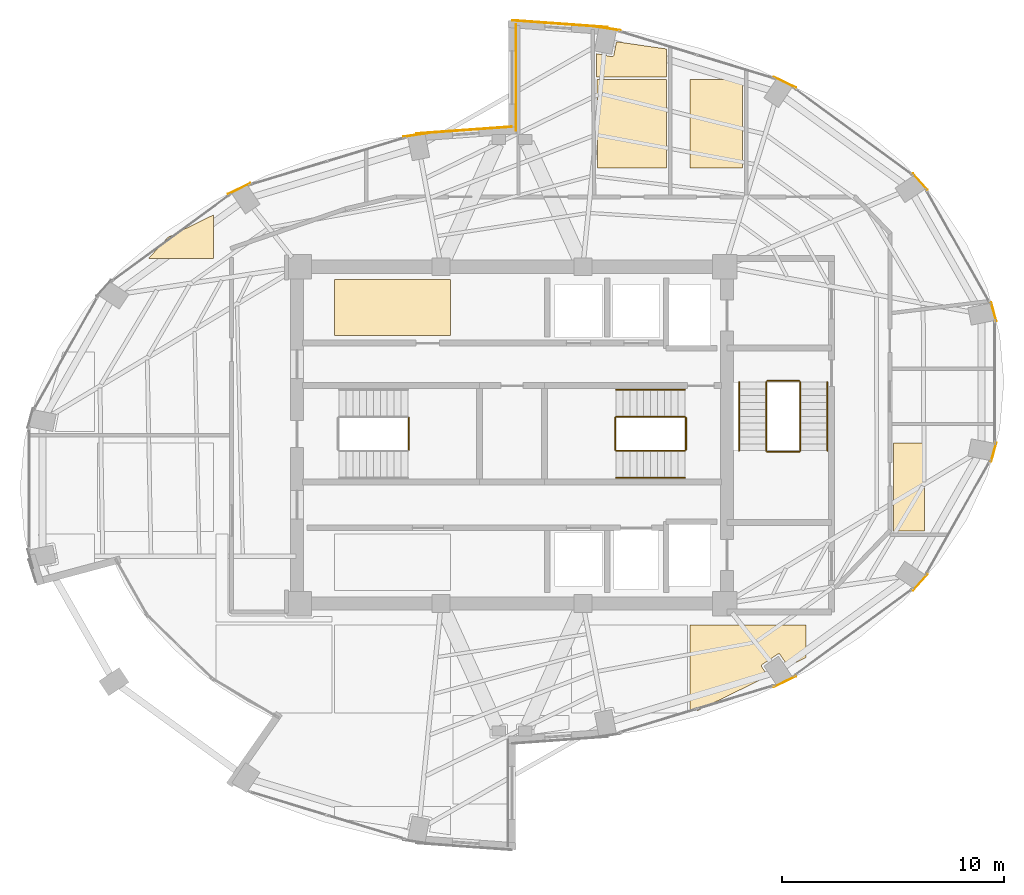
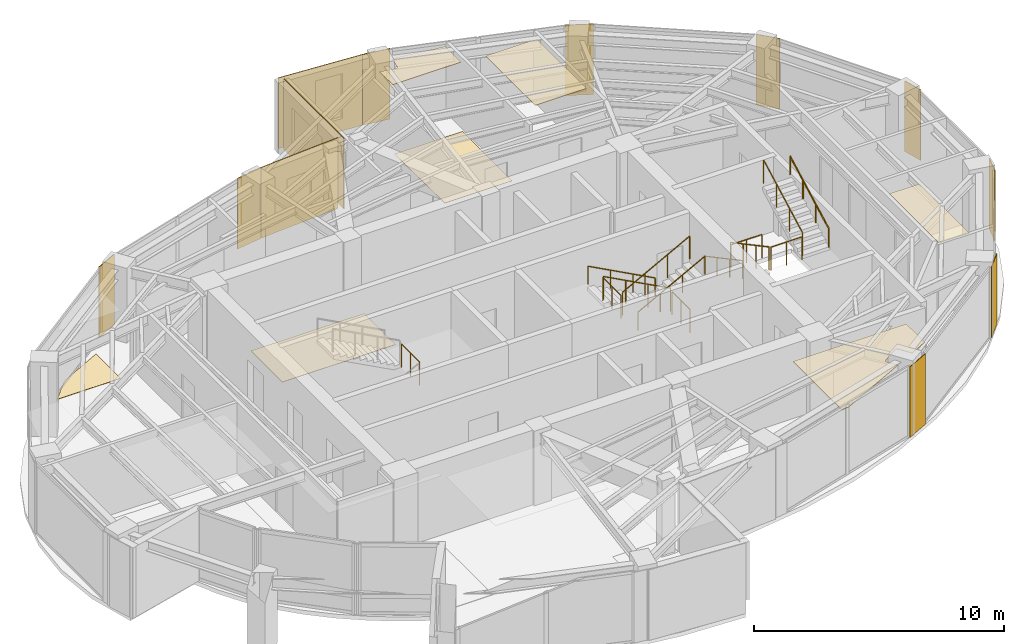
# One storey, part 21 of 21: 19 coverings, 13 railings.
"""IFC4 building model written with IfcOpenShell, lengths in metres."""

from ifc_helpers import new_model, si_unit, direction, frame, origin, origin_2d, place, context, subcontext, project, spatial, polyline, rectangle, circle, outline, extrude, material, layer, layer_set, type_object, element, save


model = new_model("IFC4")

# Units and contexts
model_context = context("Model", 3, precision=1e-05, world=origin(), true_north=direction((0.0, 1.0)))
body_context = subcontext(model_context, "Body", "Model", "MODEL_VIEW")
ifc_project = project(units=[si_unit("LENGTHUNIT", "METRE"), si_unit("AREAUNIT", "SQUARE_METRE"), si_unit("VOLUMEUNIT", "CUBIC_METRE"), si_unit("PLANEANGLEUNIT", "RADIAN"), si_unit("MASSUNIT", "GRAM", prefix="KILO")], contexts=[model_context])

# Site, building, storey
site_placement = place(None, origin())
site = spatial("IfcSite", under=ifc_project, at=site_placement, CompositionType="ELEMENT")
building_placement = place(site_placement, origin())
building = spatial("IfcBuilding", under=site, at=building_placement, Name="Lazwardi Medical Tower", CompositionType="ELEMENT")
storey_placement = place(building_placement, frame((0.0, 0.0, 220.367919921875)))
storey = spatial("IfcBuildingStorey", under=building, at=storey_placement, Name="L57", CompositionType="ELEMENT", Elevation=220.367919921875)

# Coverings
ifc_material_1 = material(Name="Anodised bronze aluminium cassette cladding", Category="aluminium")
ifc_layer_1 = layer(ifc_material_1, 0.030029296875)
ifc_layer_set_1 = layer_set([ifc_layer_1], Name="Anodised bronze aluminium cassette cladding")
covering_type_1 = type_object("IfcCoveringType", Name="COV-CLD-BRZ", PredefinedType="CLADDING", material=ifc_layer_set_1)
covering_1_placement = place(storey_placement, frame((48.311279296875, 16.878662109375, 0.0), z_axis=(0.0, 0.0, 1.0), x_axis=(0.897840141691, 0.440321564278, 0.0)))
element("IfcCovering", 1, at=covering_1_placement, inside=storey, type_object=covering_type_1, Name="L57 Mega-column bronze cassette cover M02", PredefinedType="CLADDING", context=body_context, shape_type="SweptSolid", body=[
    extrude(rectangle(XDim=1.110595703125, YDim=0.030029296875, at=origin_2d()), origin(), (0.0, 0.0, 1.0), 3.447998046875),
])
covering_2_placement = place(storey_placement, frame((54.42529296875, 21.365234375, 0.0), z_axis=(0.0, 0.0, 1.0), x_axis=(0.673240970654, 0.739423150458, 0.0)))
element("IfcCovering", 2, at=covering_2_placement, inside=storey, type_object=covering_type_1, Name="L57 Mega-column bronze cassette cover M03", PredefinedType="CLADDING", context=body_context, shape_type="SweptSolid", body=[
    extrude(rectangle(XDim=0.98974609375, YDim=0.030029296875, at=origin_2d()), origin(), (0.0, 0.0, 1.0), 3.447998046875),
])
for number, where, z_axis, x_axis, name in (
    (3, (57.734130859375, 27.227294921875, 0.0), (0.0, 0.0, 1.0), (0.261641748247, 0.96516506131, 0.0), "L57 Mega-column bronze cassette cover M04"),
    (4, (57.734130859375, 33.572509765625, 0.0), (0.0, 0.0, 1.0), (-0.261641748247, 0.96516506131, 0.0), "L57 Mega-column bronze cassette cover M05"),
):
    element("IfcCovering", number, at=place(storey_placement, frame(where, z_axis=z_axis, x_axis=x_axis)), inside=storey, type_object=covering_type_1, Name=name, PredefinedType="CLADDING", context=body_context, shape_type="SweptSolid", body=[
        extrude(rectangle(XDim=0.894287109375, YDim=0.030029296875, at=origin_2d()), origin(), (0.0, 0.0, 1.0), 3.447998046875),
    ])
covering_3_placement = place(storey_placement, frame((54.42529296875, 39.434814453125, 0.0), z_axis=(0.0, 0.0, 1.0), x_axis=(-0.673240970654, 0.739423150458, 0.0)))
element("IfcCovering", 5, at=covering_3_placement, inside=storey, type_object=covering_type_1, Name="L57 Mega-column bronze cassette cover M06", PredefinedType="CLADDING", context=body_context, shape_type="SweptSolid", body=[
    extrude(rectangle(XDim=0.98974609375, YDim=0.030029296875, at=origin_2d()), origin(), (0.0, 0.0, 1.0), 3.447998046875),
])
covering_4_placement = place(storey_placement, frame((48.311279296875, 43.92138671875, 0.0), z_axis=(0.0, 0.0, 1.0), x_axis=(-0.897840141691, 0.440321564278, 0.0)))
element("IfcCovering", 6, at=covering_4_placement, inside=storey, type_object=covering_type_1, Name="L57 Mega-column bronze cassette cover M07", PredefinedType="CLADDING", context=body_context, shape_type="SweptSolid", body=[
    extrude(rectangle(XDim=1.110595703125, YDim=0.030029296875, at=origin_2d()), origin(), (0.0, 0.0, 1.0), 3.447998046875),
])
for number, where, z_axis, x_axis, name in (
    (7, (40.3232421875, 46.349609375, 0.0), (0.0, 0.0, 1.0), (-0.989512431533, 0.144447733943, 0.0), "L57 Mega-column bronze cassette cover M08"),
    (8, (31.6767578125, 41.549560546875, 0.0), (0.0, 0.0, 1.0), (-0.989512431533, -0.144447733943, 0.0), "L57 Mega-column bronze cassette cover M09"),
):
    element("IfcCovering", number, at=place(storey_placement, frame(where, z_axis=z_axis, x_axis=x_axis)), inside=storey, type_object=covering_type_1, Name=name, PredefinedType="CLADDING", context=body_context, shape_type="SweptSolid", body=[
        extrude(rectangle(XDim=1.188720703125, YDim=0.030029296875, at=origin_2d()), origin(), (0.0, 0.0, 1.0), 3.447998046875),
    ])
covering_5_placement = place(storey_placement, frame((23.688720703125, 39.121337890625, 0.0), z_axis=(0.0, 0.0, 1.0), x_axis=(-0.897840141691, -0.440321564278, 0.0)))
element("IfcCovering", 9, at=covering_5_placement, inside=storey, type_object=covering_type_1, Name="L57 Mega-column bronze cassette cover M10", PredefinedType="CLADDING", context=body_context, shape_type="SweptSolid", body=[
    extrude(rectangle(XDim=1.110595703125, YDim=0.030029296875, at=origin_2d()), origin(), (0.0, 0.0, 1.0), 3.447998046875),
])
ifc_material_2 = material(Name="Turquoise glazed ceramic tilework cladding", Category="masonry")
ifc_layer_2 = layer(ifc_material_2, 0.034912109375)
ifc_layer_set_2 = layer_set([ifc_layer_2], Name="Turquoise glazed ceramic tilework cladding")
covering_type_2 = type_object("IfcCoveringType", Name="COV-CLD-TRQ", PredefinedType="CLADDING", material=ifc_layer_set_2)
covering_6_placement = place(storey_placement, frame((38.16259765625, 46.56005859375, 0.0), z_axis=(0.0, 0.0, 1.0), x_axis=(-0.997409491337, 0.071932653157, 0.0)))
element("IfcCovering", 10, at=covering_6_placement, inside=storey, type_object=covering_type_2, Name="L57 Turquoise glazed ceramic tilework cladding", PredefinedType="CLADDING", context=body_context, shape_type="SweptSolid", body=[
    extrude(rectangle(XDim=4.31103515625, YDim=0.034912109375, at=origin_2d()), origin(), (0.0, 0.0, 1.0), 3.447998046875),
])
covering_7_placement = place(storey_placement, frame((33.83740234375, 41.760009765625, 0.0), z_axis=(0.0, 0.0, 1.0), x_axis=(-0.997408989128, -0.071939616387, 0.0)))
element("IfcCovering", 11, at=covering_7_placement, inside=storey, type_object=covering_type_2, Name="L57 Turquoise glazed ceramic tilework cladding", PredefinedType="CLADDING", context=body_context, shape_type="SweptSolid", body=[
    extrude(rectangle(XDim=4.310546875, YDim=0.034912109375, at=origin_2d()), origin(), (0.0, 0.0, 1.0), 3.447998046875),
])
covering_8_placement = place(storey_placement, frame((36.175537109375, 44.139892578125, 0.0), z_axis=(0.0, 0.0, 1.0), x_axis=(0.0, -1.0, 0.0)))
element("IfcCovering", 12, at=covering_8_placement, inside=storey, type_object=covering_type_2, Name="L57 Turquoise glazed ceramic tilework iwan panel", PredefinedType="CLADDING", context=body_context, shape_type="SweptSolid", body=[
    extrude(rectangle(XDim=4.800048828125, YDim=0.034912109375, at=origin_2d()), origin(), (0.0, 0.0, 1.0), 3.447998046875),
])
ifc_material_3 = material(Name="Acoustic mineral fibre tile")
ifc_layer_3 = layer(ifc_material_3, 0.02490234375)
ifc_layer_set_3 = layer_set([ifc_layer_3], Name="Acoustic mineral fibre tile")
covering_type_3 = type_object("IfcCoveringType", Name="COV-CLG-01", PredefinedType="CEILING", material=ifc_layer_set_3)
covering_9_placement = place(storey_placement, frame((0.0, 0.0, 3.302978515625)))
element("IfcCovering", 13, at=covering_9_placement, inside=storey, type_object=covering_type_3, Name="L57 Clinical Acoustic Ceiling 7", PredefinedType="CEILING", context=body_context, shape_type="SweptSolid", body=[
    extrude(outline(polyline([(42.97509765625, 44.16259765625), (42.97509765625, 45.42333984375), (40.714599609375, 45.752685546875), (40.59326171875, 45.1416015625), (40.59130859375, 45.134033203125), (40.588623046875, 45.126708984375), (40.585205078125, 45.11962890625), (40.581298828125, 45.11279296875), (40.576416015625, 45.1064453125), (40.5712890625, 45.1005859375), (40.5654296875, 45.095458984375), (40.55908203125, 45.0908203125), (40.552490234375, 45.086669921875), (40.54541015625, 45.08349609375), (40.537841796875, 45.080810546875), (40.5302734375, 45.078857421875), (40.5224609375, 45.07763671875), (40.5146484375, 45.077392578125), (40.5068359375, 45.07763671875), (40.4990234375, 45.078857421875), (39.81298828125, 45.21533203125), (39.822998046875, 44.16259765625), (42.97509765625, 44.16259765625)])), origin(), (0.0, 0.0, 1.0), 0.025146484375),
])
covering_10_placement = place(storey_placement, frame((0.0, 0.0, 3.302978515625)))
element("IfcCovering", 14, at=covering_10_placement, inside=storey, type_object=covering_type_3, Name="L57 Clinical Acoustic Ceiling 8", PredefinedType="CEILING", context=body_context, shape_type="SweptSolid", body=[
    extrude(outline(polyline([(44.04296875, 15.531982421875), (44.40283203125, 15.58447265625), (47.5478515625, 17.122802734375), (47.267822265625, 17.5419921875), (47.263916015625, 17.548828125), (47.260498046875, 17.555908203125), (47.2578125, 17.563232421875), (47.255859375, 17.57080078125), (47.2548828125, 17.57861328125), (47.25439453125, 17.58642578125), (47.2548828125, 17.59423828125), (47.255859375, 17.60205078125), (47.2578125, 17.609619140625), (47.260498046875, 17.6171875), (47.263916015625, 17.624267578125), (47.267822265625, 17.630859375), (47.272705078125, 17.63720703125), (47.27783203125, 17.64306640625), (47.28369140625, 17.648193359375), (47.2900390625, 17.653076171875), (47.98828125, 18.11962890625), (47.9951171875, 18.123779296875), (48.002197265625, 18.127197265625), (48.009521484375, 18.1298828125), (48.01708984375, 18.131591796875), (48.02490234375, 18.1328125), (48.03271484375, 18.13330078125), (48.04052734375, 18.1328125), (48.04833984375, 18.131591796875), (48.055908203125, 18.1298828125), (48.0634765625, 18.127197265625), (48.070556640625, 18.123779296875), (48.0771484375, 18.11962890625), (48.08349609375, 18.114990234375), (48.08935546875, 18.10986328125), (48.094482421875, 18.10400390625), (48.099365234375, 18.09765625), (48.454345703125, 17.56640625), (49.27294921875, 17.966796875), (49.27294921875, 19.4423828125), (44.04296875, 19.4423828125), (44.04296875, 15.531982421875)])), origin(), (0.0, 0.0, 1.0), 0.025146484375),
])
covering_11_placement = place(storey_placement, frame((0.0, 0.0, 3.302978515625)))
element("IfcCovering", 15, at=covering_11_placement, inside=storey, type_object=covering_type_3, Name="L57 Clinical Acoustic Ceiling 9", PredefinedType="CEILING", context=body_context, shape_type="SweptSolid", body=[
    extrude(outline(polyline([(46.405029296875, 40.0625), (46.405029296875, 44.04248046875), (44.04296875, 44.04248046875), (44.04296875, 40.0625), (46.405029296875, 40.0625)])), origin(), (0.0, 0.0, 1.0), 0.025146484375),
])
covering_12_placement = place(storey_placement, frame((0.0, 0.0, 3.302978515625)))
element("IfcCovering", 16, at=covering_12_placement, inside=storey, type_object=covering_type_3, Name="L57 Clinical Acoustic Ceiling 10", PredefinedType="CEILING", context=body_context, shape_type="SweptSolid", body=[
    extrude(outline(polyline([(53.22509765625, 27.642578125), (53.22509765625, 23.685546875), (53.224853515625, 23.681884765625), (53.224609375, 23.6728515625), (53.223876953125, 23.6650390625), (54.622802734375, 23.6650390625), (54.622802734375, 27.642578125), (53.22509765625, 27.642578125)])), origin(), (0.0, 0.0, 1.0), 0.025146484375),
])
ifc_material_4 = material(Name="Anti-static hospital vinyl sheet flooring")
ifc_layer_4 = layer(ifc_material_4, 0.014892578125)
ifc_layer_set_4 = layer_set([ifc_layer_4], Name="Anti-static hospital vinyl sheet flooring")
covering_type_4 = type_object("IfcCoveringType", Name="COV-FLR-01", PredefinedType="FLOORING", material=ifc_layer_set_4)
covering_13_placement = place(storey_placement, origin())
element("IfcCovering", 17, at=covering_13_placement, inside=storey, type_object=covering_type_4, Name="L57 Clinical Vinyl Flooring 3", PredefinedType="FLOORING", context=body_context, shape_type="SweptSolid", body=[
    extrude(outline(polyline([(22.52294921875, 37.93359375), (20.478271484375, 36.933349609375), (19.592041015625, 35.96240234375), (22.52294921875, 35.96240234375), (22.52294921875, 37.93359375)])), origin(), (0.0, 0.0, 1.0), 0.01513671875),
])
covering_14_placement = place(storey_placement, origin())
element("IfcCovering", 18, at=covering_14_placement, inside=storey, type_object=covering_type_4, Name="L57 Clinical Vinyl Flooring 7", PredefinedType="FLOORING", context=body_context, shape_type="SweptSolid", body=[
    extrude(outline(polyline([(33.222900390625, 35.02001953125), (27.992919921875, 35.02001953125), (27.992919921875, 32.5), (33.222900390625, 32.5), (33.222900390625, 35.02001953125)])), origin(), (0.0, 0.0, 1.0), 0.01513671875),
])
covering_15_placement = place(storey_placement, origin())
element("IfcCovering", 19, at=covering_15_placement, inside=storey, type_object=covering_type_4, Name="L57 Clinical Vinyl Flooring 10", PredefinedType="FLOORING", context=body_context, shape_type="SweptSolid", body=[
    extrude(outline(polyline([(39.82421875, 44.04248046875), (39.862548828125, 40.0625), (42.97509765625, 40.0625), (42.97509765625, 44.04248046875), (39.82421875, 44.04248046875)])), origin(), (0.0, 0.0, 1.0), 0.01513671875),
])

# Railings
ifc_material_5 = material(Name="Stainless steel Grade 316", Category="steel")
railing_type_1 = type_object("IfcRailingType", Name="RLG-GRD-1150", PredefinedType="GUARDRAIL", material=ifc_material_5)
railing_1_placement = place(storey_placement, frame((31.35009765625, 27.340087890625, 1.823974609375)))
element("IfcRailing", 20, at=railing_1_placement, inside=storey, type_object=railing_type_1, Name="L57 ST1 stair guard 2", PredefinedType="GUARDRAIL", context=body_context, shape_type="SweptSolid", body=[
    extrude(circle(Radius=0.02392578125, at=origin_2d()), frame((0.0, 0.0, 1.1259765625), z_axis=(0.0, 1.0, 0.0), x_axis=(-1.0, 0.0, 0.0)), (0.0, 0.0, 1.0), 1.43994140625),
    extrude(circle(Radius=0.02099609375, at=origin_2d()), origin(), (0.0, 0.0, 1.0), 1.099853515625),
    extrude(circle(Radius=0.02099609375, at=origin_2d()), frame((0.0, 0.719970703125, 0.0)), (0.0, 0.0, 1.0), 1.099853515625),
    extrude(circle(Radius=0.02099609375, at=origin_2d()), frame((0.0, 1.43994140625, 0.0)), (0.0, 0.0, 1.0), 1.099853515625),
])
railing_2_placement = place(storey_placement, frame((43.800048828125, 28.830078125, 0.166015625)))
element("IfcRailing", 21, at=railing_2_placement, inside=storey, type_object=railing_type_1, Name="L57 ST2 stair guard 1", PredefinedType="GUARDRAIL", context=body_context, shape_type="SweptSolid", body=[
    extrude(circle(Radius=0.02392578125, at=origin_2d()), frame((0.0, 0.0, 1.1259765625), z_axis=(-0.881812178953, 0.0, 0.471600764472), x_axis=(0.0, -1.0, 0.0)), (0.0, 0.0, 1.0), 3.515625),
    extrude(circle(Radius=0.02099609375, at=origin_2d()), origin(), (0.0, 0.0, 1.0), 1.099853515625),
    extrude(circle(Radius=0.02099609375, at=origin_2d()), frame((-1.033447265625, 0.0, 0.552734375)), (0.0, 0.0, 1.0), 1.099853515625),
    extrude(circle(Radius=0.02099609375, at=origin_2d()), frame((-2.066650390625, 0.0, 1.105224609375)), (0.0, 0.0, 1.0), 1.099853515625),
    extrude(circle(Radius=0.02099609375, at=origin_2d()), frame((-3.10009765625, 0.0, 1.657958984375)), (0.0, 0.0, 1.0), 1.099853515625),
])
railing_3_placement = place(storey_placement, frame((40.64990234375, 28.780029296875, 1.823974609375)))
element("IfcRailing", 22, at=railing_3_placement, inside=storey, type_object=railing_type_1, Name="L57 ST2 stair guard 2", PredefinedType="GUARDRAIL", context=body_context, shape_type="SweptSolid", body=[
    extrude(circle(Radius=0.02392578125, at=origin_2d()), frame((0.0, 0.0, 1.1259765625), z_axis=(0.0, -1.0, 0.0), x_axis=(1.0, 0.0, 0.0)), (0.0, 0.0, 1.0), 1.43994140625),
    extrude(circle(Radius=0.02099609375, at=origin_2d()), origin(), (0.0, 0.0, 1.0), 1.099853515625),
    extrude(circle(Radius=0.02099609375, at=origin_2d()), frame((0.0, -0.719970703125, 0.0)), (0.0, 0.0, 1.0), 1.099853515625),
    extrude(circle(Radius=0.02099609375, at=origin_2d()), frame((0.0, -1.43994140625, 0.0)), (0.0, 0.0, 1.0), 1.099853515625),
])
railing_4_placement = place(storey_placement, frame((40.699951171875, 27.2900390625, 1.989990234375)))
element("IfcRailing", 23, at=railing_4_placement, inside=storey, type_object=railing_type_1, Name="L57 ST2 stair guard 3", PredefinedType="GUARDRAIL", context=body_context, shape_type="SweptSolid", body=[
    extrude(circle(Radius=0.02392578125, at=origin_2d()), frame((0.0, 0.0, 1.1259765625), z_axis=(0.881783298633, 0.0, 0.471654761719), x_axis=(0.0, 1.0, 0.0)), (0.0, 0.0, 1.0), 3.515625),
    extrude(circle(Radius=0.02099609375, at=origin_2d()), origin(), (0.0, 0.0, 1.0), 1.099853515625),
    extrude(circle(Radius=0.02099609375, at=origin_2d()), frame((1.033447265625, 0.0, 0.552734375)), (0.0, 0.0, 1.0), 1.099853515625),
    extrude(circle(Radius=0.02099609375, at=origin_2d()), frame((2.066650390625, 0.0, 1.10546875)), (0.0, 0.0, 1.0), 1.099853515625),
    extrude(circle(Radius=0.02099609375, at=origin_2d()), frame((3.10009765625, 0.0, 1.658203125)), (0.0, 0.0, 1.0), 1.099853515625),
])
railing_5_placement = place(storey_placement, frame((43.85009765625, 28.780029296875, 0.0)))
element("IfcRailing", 24, at=railing_5_placement, inside=storey, type_object=railing_type_1, Name="L57 ST2 stair guard 4", PredefinedType="GUARDRAIL", context=body_context, shape_type="SweptSolid", body=[
    extrude(circle(Radius=0.02392578125, at=origin_2d()), frame((0.0, 0.0, 1.1259765625), z_axis=(0.0, -1.0, 0.0), x_axis=(1.0, 0.0, 0.0)), (0.0, 0.0, 1.0), 1.43994140625),
    extrude(circle(Radius=0.02099609375, at=origin_2d()), origin(), (0.0, 0.0, 1.0), 1.099853515625),
    extrude(circle(Radius=0.02099609375, at=origin_2d()), frame((0.0, -0.719970703125, 0.0)), (0.0, 0.0, 1.0), 1.099853515625),
    extrude(circle(Radius=0.02099609375, at=origin_2d()), frame((0.0, -1.43994140625, 0.0)), (0.0, 0.0, 1.0), 1.099853515625),
])
railing_6_placement = place(storey_placement, frame((47.469970703125, 30.39990234375, 0.166015625)))
element("IfcRailing", 25, at=railing_6_placement, inside=storey, type_object=railing_type_1, Name="L57 ST3 stair guard 1", PredefinedType="GUARDRAIL", context=body_context, shape_type="SweptSolid", body=[
    extrude(circle(Radius=0.02392578125, at=origin_2d()), frame((0.0, 0.0, 1.1259765625), z_axis=(0.0, -0.881796732468, 0.4716296456), x_axis=(1.0, 0.0, 0.0)), (0.0, 0.0, 1.0), 3.515380859375),
    extrude(circle(Radius=0.02099609375, at=origin_2d()), origin(), (0.0, 0.0, 1.0), 1.099853515625),
    extrude(circle(Radius=0.02099609375, at=origin_2d()), frame((0.0, -1.033203125, 0.552734375)), (0.0, 0.0, 1.0), 1.099853515625),
    extrude(circle(Radius=0.02099609375, at=origin_2d()), frame((0.0, -2.066650390625, 1.105224609375)), (0.0, 0.0, 1.0), 1.099853515625),
    extrude(circle(Radius=0.02099609375, at=origin_2d()), frame((0.0, -3.099853515625, 1.657958984375)), (0.0, 0.0, 1.0), 1.099853515625),
])
railing_7_placement = place(storey_placement, frame((47.52001953125, 27.25, 1.823974609375)))
element("IfcRailing", 26, at=railing_7_placement, inside=storey, type_object=railing_type_1, Name="L57 ST3 stair guard 2", PredefinedType="GUARDRAIL", context=body_context, shape_type="SweptSolid", body=[
    extrude(circle(Radius=0.02392578125, at=origin_2d()), frame((0.0, 0.0, 1.1259765625), z_axis=(1.0, 0.0, 0.0), x_axis=(0.0, 1.0, 0.0)), (0.0, 0.0, 1.0), 1.43994140625),
    extrude(circle(Radius=0.02099609375, at=origin_2d()), origin(), (0.0, 0.0, 1.0), 1.099853515625),
    extrude(circle(Radius=0.02099609375, at=origin_2d()), frame((0.719970703125, 0.0, 0.0)), (0.0, 0.0, 1.0), 1.099853515625),
    extrude(circle(Radius=0.02099609375, at=origin_2d()), frame((1.43994140625, 0.0, 0.0)), (0.0, 0.0, 1.0), 1.099853515625),
])
railing_8_placement = place(storey_placement, frame((49.010009765625, 27.300048828125, 1.989990234375)))
element("IfcRailing", 27, at=railing_8_placement, inside=storey, type_object=railing_type_1, Name="L57 ST3 stair guard 3", PredefinedType="GUARDRAIL", context=body_context, shape_type="SweptSolid", body=[
    extrude(circle(Radius=0.02392578125, at=origin_2d()), frame((0.0, 0.0, 1.1259765625), z_axis=(0.0, 0.881767849116, 0.471683644262), x_axis=(-1.0, 0.0, 0.0)), (0.0, 0.0, 1.0), 3.515380859375),
    extrude(circle(Radius=0.02099609375, at=origin_2d()), origin(), (0.0, 0.0, 1.0), 1.099853515625),
    extrude(circle(Radius=0.02099609375, at=origin_2d()), frame((0.0, 1.033203125, 0.552734375)), (0.0, 0.0, 1.0), 1.099853515625),
    extrude(circle(Radius=0.02099609375, at=origin_2d()), frame((0.0, 2.066650390625, 1.10546875)), (0.0, 0.0, 1.0), 1.099853515625),
    extrude(circle(Radius=0.02099609375, at=origin_2d()), frame((0.0, 3.099853515625, 1.658203125)), (0.0, 0.0, 1.0), 1.099853515625),
])
railing_9_placement = place(storey_placement, frame((47.52001953125, 30.449951171875, 0.0)))
element("IfcRailing", 28, at=railing_9_placement, inside=storey, type_object=railing_type_1, Name="L57 ST3 stair guard 4", PredefinedType="GUARDRAIL", context=body_context, shape_type="SweptSolid", body=[
    extrude(circle(Radius=0.02392578125, at=origin_2d()), frame((0.0, 0.0, 1.1259765625), z_axis=(1.0, 0.0, 0.0), x_axis=(0.0, 1.0, 0.0)), (0.0, 0.0, 1.0), 1.43994140625),
    extrude(circle(Radius=0.02099609375, at=origin_2d()), origin(), (0.0, 0.0, 1.0), 1.099853515625),
    extrude(circle(Radius=0.02099609375, at=origin_2d()), frame((0.719970703125, 0.0, 0.0)), (0.0, 0.0, 1.0), 1.099853515625),
    extrude(circle(Radius=0.02099609375, at=origin_2d()), frame((1.43994140625, 0.0, 0.0)), (0.0, 0.0, 1.0), 1.099853515625),
])
railing_type_2 = type_object("IfcRailingType", Name="RLG-HND-920", PredefinedType="HANDRAIL", material=ifc_material_5)
railing_10_placement = place(storey_placement, frame((43.800048828125, 30.050048828125, 0.166015625)))
element("IfcRailing", 29, at=railing_10_placement, inside=storey, type_object=railing_type_2, Name="L57 ST2 stair handrail 1", PredefinedType="HANDRAIL", context=body_context, shape_type="SweptSolid", body=[
    extrude(circle(Radius=0.02392578125, at=origin_2d()), frame((0.0, 0.0, 0.8857421875), z_axis=(-0.881812178953, 0.0, 0.471600764472), x_axis=(0.0, -1.0, 0.0)), (0.0, 0.0, 1.0), 3.515625),
    extrude(circle(Radius=0.02099609375, at=origin_2d()), origin(), (0.0, 0.0, 1.0), 0.85986328125),
    extrude(circle(Radius=0.02099609375, at=origin_2d()), frame((-1.033447265625, 0.0, 0.552734375)), (0.0, 0.0, 1.0), 0.85986328125),
    extrude(circle(Radius=0.02099609375, at=origin_2d()), frame((-2.066650390625, 0.0, 1.105224609375)), (0.0, 0.0, 1.0), 0.85986328125),
    extrude(circle(Radius=0.02099609375, at=origin_2d()), frame((-3.10009765625, 0.0, 1.657958984375)), (0.0, 0.0, 1.0), 0.85986328125),
])
railing_11_placement = place(storey_placement, frame((40.699951171875, 26.070068359375, 1.989990234375)))
element("IfcRailing", 30, at=railing_11_placement, inside=storey, type_object=railing_type_2, Name="L57 ST2 stair handrail 2", PredefinedType="HANDRAIL", context=body_context, shape_type="SweptSolid", body=[
    extrude(circle(Radius=0.02392578125, at=origin_2d()), frame((0.0, 0.0, 0.8857421875), z_axis=(0.881783298633, 0.0, 0.471654761719), x_axis=(0.0, 1.0, 0.0)), (0.0, 0.0, 1.0), 3.515625),
    extrude(circle(Radius=0.02099609375, at=origin_2d()), origin(), (0.0, 0.0, 1.0), 0.85986328125),
    extrude(circle(Radius=0.02099609375, at=origin_2d()), frame((1.033447265625, 0.0, 0.552734375)), (0.0, 0.0, 1.0), 0.85986328125),
    extrude(circle(Radius=0.02099609375, at=origin_2d()), frame((2.066650390625, 0.0, 1.10546875)), (0.0, 0.0, 1.0), 0.85986328125),
    extrude(circle(Radius=0.02099609375, at=origin_2d()), frame((3.10009765625, 0.0, 1.658203125)), (0.0, 0.0, 1.0), 0.85986328125),
])
railing_12_placement = place(storey_placement, frame((46.25, 30.39990234375, 0.166015625)))
element("IfcRailing", 31, at=railing_12_placement, inside=storey, type_object=railing_type_2, Name="L57 ST3 stair handrail 1", PredefinedType="HANDRAIL", context=body_context, shape_type="SweptSolid", body=[
    extrude(circle(Radius=0.02392578125, at=origin_2d()), frame((0.0, 0.0, 0.8857421875), z_axis=(0.0, -0.881796732468, 0.4716296456), x_axis=(1.0, 0.0, 0.0)), (0.0, 0.0, 1.0), 3.515380859375),
    extrude(circle(Radius=0.02099609375, at=origin_2d()), origin(), (0.0, 0.0, 1.0), 0.85986328125),
    extrude(circle(Radius=0.02099609375, at=origin_2d()), frame((0.0, -1.033203125, 0.552734375)), (0.0, 0.0, 1.0), 0.85986328125),
    extrude(circle(Radius=0.02099609375, at=origin_2d()), frame((0.0, -2.066650390625, 1.105224609375)), (0.0, 0.0, 1.0), 0.85986328125),
    extrude(circle(Radius=0.02099609375, at=origin_2d()), frame((0.0, -3.099853515625, 1.657958984375)), (0.0, 0.0, 1.0), 0.85986328125),
])
railing_13_placement = place(storey_placement, frame((50.22998046875, 27.300048828125, 1.989990234375)))
element("IfcRailing", 32, at=railing_13_placement, inside=storey, type_object=railing_type_2, Name="L57 ST3 stair handrail 2", PredefinedType="HANDRAIL", context=body_context, shape_type="SweptSolid", body=[
    extrude(circle(Radius=0.02392578125, at=origin_2d()), frame((0.0, 0.0, 0.8857421875), z_axis=(0.0, 0.881767849116, 0.471683644262), x_axis=(-1.0, 0.0, 0.0)), (0.0, 0.0, 1.0), 3.515380859375),
    extrude(circle(Radius=0.02099609375, at=origin_2d()), origin(), (0.0, 0.0, 1.0), 0.85986328125),
    extrude(circle(Radius=0.02099609375, at=origin_2d()), frame((0.0, 1.033203125, 0.552734375)), (0.0, 0.0, 1.0), 0.85986328125),
    extrude(circle(Radius=0.02099609375, at=origin_2d()), frame((0.0, 2.066650390625, 1.10546875)), (0.0, 0.0, 1.0), 0.85986328125),
    extrude(circle(Radius=0.02099609375, at=origin_2d()), frame((0.0, 3.099853515625, 1.658203125)), (0.0, 0.0, 1.0), 0.85986328125),
])

save(model, "model.ifc")
